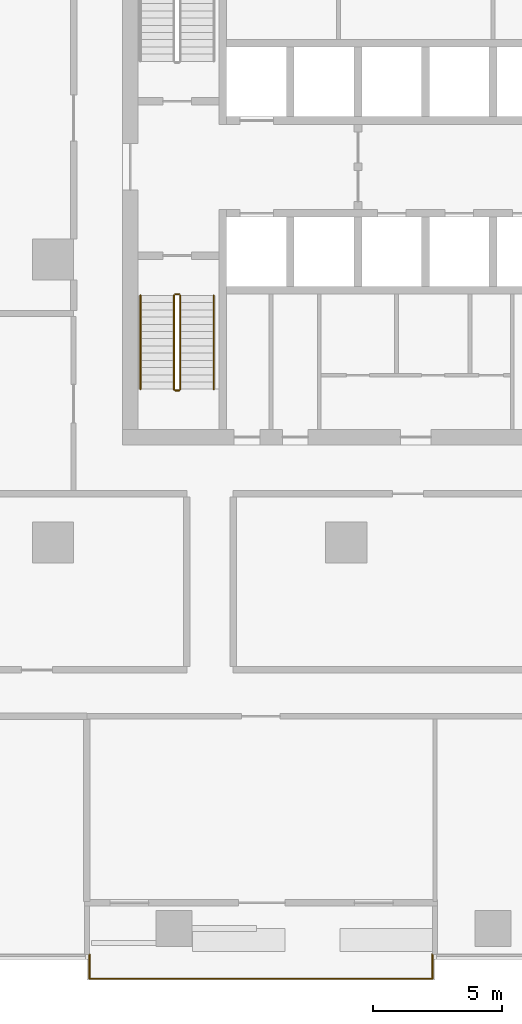
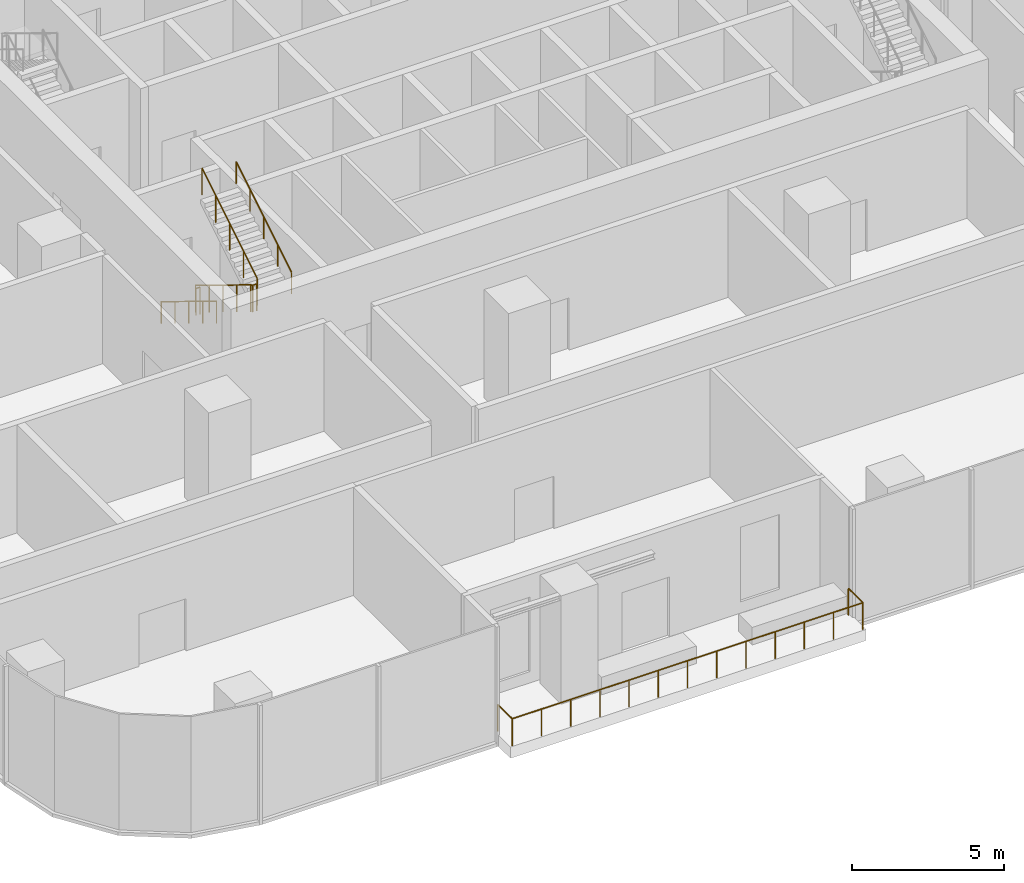
# One storey, part 12 of 15: 6 railings.
"""IFC4 building model written with IfcOpenShell, lengths in metres."""

import ifcopenshell
import ifcopenshell.guid

model = None  # the IFC model being written
_history = None  # IfcOwnerHistory: only IFC2X3 demands one
_inside = {}  # id of a spatial element -> (the spatial element, [elements in it])
_under = {}  # id of a project, library or spatial element -> (it, [spatial elements below it])
_declared = {}  # id of a project -> (the project, [libraries it declares])
_typed = {}  # id of a type object -> (the type object, [elements of that type])
_made_of = {}  # id of a material, layer set ... -> (it, [elements and type objects made of it])


def new_model(schema):
    """Start an empty IFC model of exactly this schema.

    Asked for "IFC4X3", IfcOpenShell would pick the latest addendum, in which some entities
    have other attributes; the version numbers below select the first issue.
    IFC2X3 requires an IfcOwnerHistory on every rooted entity: one is made here for all.
    """
    global model, _history
    if schema == "IFC4X3":
        model = ifcopenshell.file(schema_version=(4, 3, 0, 0))
    else:
        model = ifcopenshell.file(schema=schema)
    _inside.clear()
    _under.clear()
    _declared.clear()
    _typed.clear()
    _made_of.clear()
    _history = None
    if model.schema == "IFC2X3":
        org = make("IfcOrganization", Name="unknown")
        user = make(
            "IfcPersonAndOrganization",
            ThePerson=make("IfcPerson", FamilyName="unknown"),
            TheOrganization=org,
        )
        app = make(
            "IfcApplication",
            ApplicationDeveloper=org,
            Version="unknown",
            ApplicationFullName="unknown",
            ApplicationIdentifier="unknown",
        )
        _history = make(
            "IfcOwnerHistory",
            OwningUser=user,
            OwningApplication=app,
            ChangeAction="ADDED",
            CreationDate=0,
        )
    return model


def make(cls, **values):
    """One entity of the class cls with the attributes given. An attribute that is None is left unset."""
    return model.create_entity(
        cls, **{name: value for name, value in values.items() if value is not None}
    )


def rooted(cls, **values):
    """An entity with a GlobalId (a new one), such as an element, a storey or a relation."""
    return make(cls, GlobalId=ifcopenshell.guid.new(), OwnerHistory=_history, **values)


def si_unit(unit_type, name, prefix=None):
    """IfcSIUnit, for example si_unit("LENGTHUNIT", "METRE", prefix="MILLI")."""
    return make("IfcSIUnit", UnitType=unit_type, Prefix=prefix, Name=name)


def assignment(units):
    """IfcUnitAssignment: the units of a project."""
    return None if units is None else make("IfcUnitAssignment", Units=units)


def point(xyz):
    """IfcCartesianPoint."""
    return None if xyz is None else make("IfcCartesianPoint", Coordinates=xyz)


def direction(xyz):
    """IfcDirection."""
    return None if xyz is None else make("IfcDirection", DirectionRatios=xyz)


def frame(location, z_axis=None, x_axis=None):
    """IfcAxis2Placement3D, a coordinate frame: its origin and axes. An axis left out is left unset."""
    return make(
        "IfcAxis2Placement3D",
        Location=point(location),
        Axis=direction(z_axis),
        RefDirection=direction(x_axis),
    )


def frame_2d(location, x_axis=None):
    """IfcAxis2Placement2D, a coordinate frame in the plane: its origin and x axis."""
    return make(
        "IfcAxis2Placement2D", Location=point(location), RefDirection=direction(x_axis)
    )


def origin():
    """The frame at (0, 0, 0) with its axes left unset."""
    return frame((0.0, 0.0, 0.0))


def origin_2d():
    """The frame at (0, 0) in the plane with its x axis left unset."""
    return frame_2d((0.0, 0.0))


def place(relative_to, where):
    """IfcLocalPlacement: puts the frame where relative to a parent placement (None: the world)."""
    return make(
        "IfcLocalPlacement", PlacementRelTo=relative_to, RelativePlacement=where
    )


def context(
    kind, dimensions, precision=None, world=None, true_north=None, identifier=None
):
    """IfcGeometricRepresentationContext, for example the 3D "Model" context."""
    return make(
        "IfcGeometricRepresentationContext",
        ContextIdentifier=identifier,
        ContextType=kind,
        CoordinateSpaceDimension=dimensions,
        Precision=precision,
        WorldCoordinateSystem=world,
        TrueNorth=true_north,
    )


def subcontext(parent, identifier, kind, view, scale=None):
    """IfcGeometricRepresentationSubContext, for example "Body" below "Model"."""
    return make(
        "IfcGeometricRepresentationSubContext",
        ContextIdentifier=identifier,
        ContextType=kind,
        ParentContext=parent,
        TargetScale=scale,
        TargetView=view,
    )


def project(units=None, contexts=None):
    """IfcProject with its units and contexts."""
    return rooted(
        "IfcProject",
        Name="project",
        RepresentationContexts=contexts,
        UnitsInContext=assignment(units),
    )


def spatial(cls, under=None, at=None, **own):
    """A site, building, storey or space (cls), placed at a placement, below another one or the project."""
    s = rooted(cls, ObjectPlacement=at, **own)
    if under is not None:
        _under.setdefault(under.id(), (under, []))[1].append(s)
    return s


def profile(cls, at=None, kind="AREA", **sizes):
    """A parametric profile (cls). Its sizes go by their IFC names, for example OverallWidth=200.0."""
    return make(cls, ProfileType=kind, Position=at, **sizes)


def circle(**sizes):
    """IfcCircleProfileDef."""
    return profile("IfcCircleProfileDef", **sizes)


def extrude(swept, where, along, depth):
    """IfcExtrudedAreaSolid: the profile swept, set in the frame where, extruded along a direction by depth."""
    return make(
        "IfcExtrudedAreaSolid",
        SweptArea=swept,
        Position=where,
        ExtrudedDirection=direction(along),
        Depth=depth,
    )


def shape(context_of_items, identifier, shape_type, items):
    """IfcShapeRepresentation: the items that make up one representation, for example the "Body"."""
    return make(
        "IfcShapeRepresentation",
        ContextOfItems=context_of_items,
        RepresentationIdentifier=identifier,
        RepresentationType=shape_type,
        Items=items,
    )


def material(Name=None, Category=None):
    """IfcMaterial."""
    return make("IfcMaterial", Name=Name, Category=Category)


def made_of(thing, what):
    """Note that an element or type object is made of a material, layer set ...; save() writes the relation."""
    if what is not None:
        _made_of.setdefault(what.id(), (what, []))[1].append(thing)
    return thing


def type_object(cls, material=None, **own):
    """A type object (cls), such as IfcWallType, which elements share."""
    return made_of(rooted(cls, **own), material)


def element(
    cls,
    number,
    at=None,
    inside=None,
    cuts=None,
    type_object=None,
    material=None,
    context=None,
    identifier="Body",
    shape_type=None,
    held_by="IfcProductDefinitionShape",
    body=None,
    shapes=None,
    **own,
):
    """One element of the class cls, such as IfcWall. Its Tag is "e" and its number.

    at: its placement. inside: the storey or other place that contains it. cuts: it is an
    opening in that element (IfcRelVoidsElement). A single representation is given by context,
    identifier, shape_type and body (its items); several are given by shapes. held_by: the class
    of the entity that holds the representations. save() writes the other relations.
    """
    e = rooted(cls, Tag="e%d" % number, ObjectPlacement=at, **own)
    if body is not None:
        shapes = [shape(context, identifier, shape_type, body)]
    if shapes is not None:
        e.Representation = make(held_by, Representations=shapes)
    if inside is not None:
        _inside.setdefault(inside.id(), (inside, []))[1].append(e)
    if cuts is not None:
        rooted(
            "IfcRelVoidsElement", RelatingBuildingElement=cuts, RelatedOpeningElement=e
        )
    if type_object is not None:
        _typed.setdefault(type_object.id(), (type_object, []))[1].append(e)
    return made_of(e, material)


def aggregate(whole, parts):
    """IfcRelAggregates: a whole, such as a stair, and the parts it consists of."""
    return rooted("IfcRelAggregates", RelatingObject=whole, RelatedObjects=parts)


def save(model, path):
    """Write the relations noted so far, then the file.

    IfcRelAggregates (storeys below a building ...), IfcRelContainedInSpatialStructure (elements
    in a storey), IfcRelDefinesByType, IfcRelAssociatesMaterial and IfcRelDeclares: one each for
    every whole, place, type object, material and project.
    """
    for whole, parts in _under.values():
        aggregate(whole, parts)
    for where, things in _inside.values():
        rooted(
            "IfcRelContainedInSpatialStructure",
            RelatedElements=things,
            RelatingStructure=where,
        )
    for kind, things in _typed.values():
        rooted("IfcRelDefinesByType", RelatedObjects=things, RelatingType=kind)
    for what, things in _made_of.values():
        rooted("IfcRelAssociatesMaterial", RelatedObjects=things, RelatingMaterial=what)
    for by, libraries in _declared.values():
        rooted("IfcRelDeclares", RelatingContext=by, RelatedDefinitions=libraries)
    model.write(path)


model = new_model("IFC4")

# Units and contexts
model_context = context("Model", 3, precision=1e-05, world=origin(), true_north=direction((0.0, 1.0)))
body_context = subcontext(model_context, "Body", "Model", "MODEL_VIEW")
ifc_project = project(units=[si_unit("LENGTHUNIT", "METRE"), si_unit("AREAUNIT", "SQUARE_METRE"), si_unit("VOLUMEUNIT", "CUBIC_METRE"), si_unit("PLANEANGLEUNIT", "RADIAN"), si_unit("MASSUNIT", "GRAM", prefix="KILO")], contexts=[model_context])

# Site, building, storey
site_placement = place(None, origin())
site = spatial("IfcSite", under=ifc_project, at=site_placement, CompositionType="ELEMENT")
building_placement = place(site_placement, origin())
building = spatial("IfcBuilding", under=site, at=building_placement, Name="Mopane Tessera Tower", CompositionType="ELEMENT")
storey_placement = place(building_placement, frame((0.0, 0.0, 69.39990234375)))
storey = spatial("IfcBuildingStorey", under=building, at=storey_placement, Name="L13", CompositionType="ELEMENT", Elevation=69.39990234375)

# Railings
ifc_material_1 = material(Name="Powder-coated steel balustrade", Category="steel")
railing_type_1 = type_object("IfcRailingType", Name="Escape stair guard 1100 mm", PredefinedType="GUARDRAIL", material=ifc_material_1)
railing_1_placement = place(storey_placement, frame((-12.39990234375, -1.39990234375, 0.171630859375)))
element("IfcRailing", 1, at=railing_1_placement, inside=storey, type_object=railing_type_1, Name="L13 ST1 stair guard 1", PredefinedType="GUARDRAIL", context=body_context, shape_type="SweptSolid", body=[
    extrude(circle(Radius=0.02392578125, at=origin_2d()), frame((0.0, 0.0, 1.076171875), z_axis=(0.0, -0.852865859571, 0.52213008492), x_axis=(1.0, 0.0, 0.0)), (0.0, 0.0, 1.0), 4.26806640625),
    extrude(circle(Radius=0.02392578125, at=origin_2d()), frame((0.0, -3.64013671875, 3.3046875), z_axis=(0.705375805398, -0.708833529934, 0.0), x_axis=(0.708833529934, 0.705375805398, 0.0)), (0.0, 0.0, 1.0), 0.070556640625),
    extrude(circle(Radius=0.02392578125, at=origin_2d()), frame((0.0498046875, -3.690185546875, 3.3046875), z_axis=(1.0, 0.0, 0.0), x_axis=(0.0, 1.0, 0.0)), (0.0, 0.0, 1.0), 0.150146484375),
    extrude(circle(Radius=0.02099609375, at=origin_2d()), origin(), (0.0, 0.0, 1.0), 1.052001953125),
    extrude(circle(Radius=0.02099609375, at=origin_2d()), frame((0.0, -0.91015625, 0.55712890625)), (0.0, 0.0, 1.0), 1.052001953125),
    extrude(circle(Radius=0.02099609375, at=origin_2d()), frame((0.0, -1.820068359375, 1.1142578125)), (0.0, 0.0, 1.0), 1.052001953125),
    extrude(circle(Radius=0.02099609375, at=origin_2d()), frame((0.0, -2.72998046875, 1.67138671875)), (0.0, 0.0, 1.0), 1.052001953125),
    extrude(circle(Radius=0.02099609375, at=origin_2d()), frame((0.0, -3.64013671875, 2.228515625)), (0.0, 0.0, 1.0), 1.052001953125),
    extrude(circle(Radius=0.02099609375, at=origin_2d()), frame((0.0498046875, -3.690185546875, 2.228515625)), (0.0, 0.0, 1.0), 1.052001953125),
    extrude(circle(Radius=0.02099609375, at=origin_2d()), frame((0.199951171875, -3.690185546875, 2.228515625)), (0.0, 0.0, 1.0), 1.052001953125),
])
railing_2_placement = place(storey_placement, frame((-12.14990234375, -5.0400390625, 2.571533203125)))
element("IfcRailing", 2, at=railing_2_placement, inside=storey, type_object=railing_type_1, Name="L13 ST1 stair guard 2", PredefinedType="GUARDRAIL", context=body_context, shape_type="SweptSolid", body=[
    extrude(circle(Radius=0.02392578125, at=origin_2d()), frame((0.0, 0.0, 1.076171875), z_axis=(0.0, 0.852865859571, 0.52213008492), x_axis=(-1.0, 0.0, 0.0)), (0.0, 0.0, 1.0), 4.26806640625),
    extrude(circle(Radius=0.02099609375, at=origin_2d()), origin(), (0.0, 0.0, 1.0), 1.052001953125),
    extrude(circle(Radius=0.02099609375, at=origin_2d()), frame((0.0, 0.91015625, 0.55712890625)), (0.0, 0.0, 1.0), 1.052001953125),
    extrude(circle(Radius=0.02099609375, at=origin_2d()), frame((0.0, 1.820068359375, 1.1142578125)), (0.0, 0.0, 1.0), 1.052001953125),
    extrude(circle(Radius=0.02099609375, at=origin_2d()), frame((0.0, 2.72998046875, 1.67138671875)), (0.0, 0.0, 1.0), 1.052001953125),
    extrude(circle(Radius=0.02099609375, at=origin_2d()), frame((0.0, 3.64013671875, 2.228515625)), (0.0, 0.0, 1.0), 1.052001953125),
])
railing_3_placement = place(storey_placement, frame((-12.35009765625, -1.35009765625, 0.0)))
element("IfcRailing", 3, at=railing_3_placement, inside=storey, type_object=railing_type_1, Name="L13 ST1 stair guard 3", PredefinedType="GUARDRAIL", context=body_context, shape_type="SweptSolid", body=[
    extrude(circle(Radius=0.02392578125, at=origin_2d()), frame((0.0, 0.0, 1.076171875), z_axis=(1.0, 0.0, 0.0), x_axis=(0.0, 1.0, 0.0)), (0.0, 0.0, 1.0), 0.150146484375),
    extrude(circle(Radius=0.02099609375, at=origin_2d()), origin(), (0.0, 0.0, 1.0), 1.052001953125),
    extrude(circle(Radius=0.02099609375, at=origin_2d()), frame((0.150146484375, 0.0, 0.0)), (0.0, 0.0, 1.0), 1.052001953125),
])
ifc_material_2 = material(Name="Powder-coated steel balustrade", Category="steel")
railing_type_2 = type_object("IfcRailingType", Name="Escape stair handrail 900 mm", PredefinedType="HANDRAIL", material=ifc_material_2)
railing_4_placement = place(storey_placement, frame((-13.699951171875, -1.39990234375, 0.171630859375)))
element("IfcRailing", 4, at=railing_4_placement, inside=storey, type_object=railing_type_2, Name="L13 ST1 stair handrail 1", PredefinedType="HANDRAIL", context=body_context, shape_type="SweptSolid", body=[
    extrude(circle(Radius=0.02392578125, at=origin_2d()), frame((0.0, 0.0, 0.8759765625), z_axis=(0.0, -0.852865859571, 0.52213008492), x_axis=(1.0, 0.0, 0.0)), (0.0, 0.0, 1.0), 4.26806640625),
    extrude(circle(Radius=0.02099609375, at=origin_2d()), origin(), (0.0, 0.0, 1.0), 0.851806640625),
    extrude(circle(Radius=0.02099609375, at=origin_2d()), frame((0.0, -0.91015625, 0.55712890625)), (0.0, 0.0, 1.0), 0.851806640625),
    extrude(circle(Radius=0.02099609375, at=origin_2d()), frame((0.0, -1.820068359375, 1.1142578125)), (0.0, 0.0, 1.0), 0.851806640625),
    extrude(circle(Radius=0.02099609375, at=origin_2d()), frame((0.0, -2.72998046875, 1.67138671875)), (0.0, 0.0, 1.0), 0.851806640625),
    extrude(circle(Radius=0.02099609375, at=origin_2d()), frame((0.0, -3.64013671875, 2.228515625)), (0.0, 0.0, 1.0), 0.851806640625),
])
railing_5_placement = place(storey_placement, frame((-10.85009765625, -5.0400390625, 2.571533203125)))
element("IfcRailing", 5, at=railing_5_placement, inside=storey, type_object=railing_type_2, Name="L13 ST1 stair handrail 2", PredefinedType="HANDRAIL", context=body_context, shape_type="SweptSolid", body=[
    extrude(circle(Radius=0.02392578125, at=origin_2d()), frame((0.0, 0.0, 0.8759765625), z_axis=(0.0, 0.852865859571, 0.52213008492), x_axis=(-1.0, 0.0, 0.0)), (0.0, 0.0, 1.0), 4.26806640625),
    extrude(circle(Radius=0.02099609375, at=origin_2d()), origin(), (0.0, 0.0, 1.0), 0.851806640625),
    extrude(circle(Radius=0.02099609375, at=origin_2d()), frame((0.0, 0.91015625, 0.55712890625)), (0.0, 0.0, 1.0), 0.851806640625),
    extrude(circle(Radius=0.02099609375, at=origin_2d()), frame((0.0, 1.820068359375, 1.1142578125)), (0.0, 0.0, 1.0), 0.851806640625),
    extrude(circle(Radius=0.02099609375, at=origin_2d()), frame((0.0, 2.72998046875, 1.67138671875)), (0.0, 0.0, 1.0), 0.851806640625),
    extrude(circle(Radius=0.02099609375, at=origin_2d()), frame((0.0, 3.64013671875, 2.228515625)), (0.0, 0.0, 1.0), 0.851806640625),
])
ifc_material_3 = material(Name="Stainless steel S316", Category="steel")
railing_type_3 = type_object("IfcRailingType", Name="Terrace guard 1100", PredefinedType="GUARDRAIL", material=ifc_material_3)
railing_6_placement = place(storey_placement, frame((-15.681884765625, -27.0, 0.0)))
element("IfcRailing", 6, at=railing_6_placement, inside=storey, type_object=railing_type_3, Name="e:nw:L13:N3:guard", PredefinedType="GUARDRAIL", context=body_context, shape_type="SweptSolid", body=[
    extrude(circle(Radius=0.02392578125, at=origin_2d()), frame((0.0, 0.0, 1.076171875), z_axis=(0.0, -1.0, 0.0), x_axis=(1.0, 0.0, 0.0)), (0.0, 0.0, 1.0), 0.949951171875),
    extrude(circle(Radius=0.02392578125, at=origin_2d()), frame((0.0, -0.949951171875, 1.076171875), z_axis=(1.0, 0.0, 0.0), x_axis=(0.0, 1.0, 0.0)), (0.0, 0.0, 1.0), 13.327392578125),
    extrude(circle(Radius=0.02392578125, at=origin_2d()), frame((13.327392578125, -0.949951171875, 1.076171875), z_axis=(0.0, 1.0, 0.0), x_axis=(-1.0, 0.0, 0.0)), (0.0, 0.0, 1.0), 0.949951171875),
    extrude(circle(Radius=0.02099609375, at=origin_2d()), origin(), (0.0, 0.0, 1.0), 1.052001953125),
    extrude(circle(Radius=0.02099609375, at=origin_2d()), frame((0.0, -0.949951171875, 0.0)), (0.0, 0.0, 1.0), 1.052001953125),
    extrude(circle(Radius=0.02099609375, at=origin_2d()), frame((1.110595703125, -0.949951171875, 0.0)), (0.0, 0.0, 1.0), 1.052001953125),
    extrude(circle(Radius=0.02099609375, at=origin_2d()), frame((2.22119140625, -0.949951171875, 0.0)), (0.0, 0.0, 1.0), 1.052001953125),
    extrude(circle(Radius=0.02099609375, at=origin_2d()), frame((3.331787109375, -0.949951171875, 0.0)), (0.0, 0.0, 1.0), 1.052001953125),
    extrude(circle(Radius=0.02099609375, at=origin_2d()), frame((4.4423828125, -0.949951171875, 0.0)), (0.0, 0.0, 1.0), 1.052001953125),
    extrude(circle(Radius=0.02099609375, at=origin_2d()), frame((5.552978515625, -0.949951171875, 0.0)), (0.0, 0.0, 1.0), 1.052001953125),
    extrude(circle(Radius=0.02099609375, at=origin_2d()), frame((6.66357421875, -0.949951171875, 0.0)), (0.0, 0.0, 1.0), 1.052001953125),
    extrude(circle(Radius=0.02099609375, at=origin_2d()), frame((7.7744140625, -0.949951171875, 0.0)), (0.0, 0.0, 1.0), 1.052001953125),
    extrude(circle(Radius=0.02099609375, at=origin_2d()), frame((8.885009765625, -0.949951171875, 0.0)), (0.0, 0.0, 1.0), 1.052001953125),
    extrude(circle(Radius=0.02099609375, at=origin_2d()), frame((9.99560546875, -0.949951171875, 0.0)), (0.0, 0.0, 1.0), 1.052001953125),
    extrude(circle(Radius=0.02099609375, at=origin_2d()), frame((11.106201171875, -0.949951171875, 0.0)), (0.0, 0.0, 1.0), 1.052001953125),
    extrude(circle(Radius=0.02099609375, at=origin_2d()), frame((12.216796875, -0.949951171875, 0.0)), (0.0, 0.0, 1.0), 1.052001953125),
    extrude(circle(Radius=0.02099609375, at=origin_2d()), frame((13.327392578125, -0.949951171875, 0.0)), (0.0, 0.0, 1.0), 1.052001953125),
    extrude(circle(Radius=0.02099609375, at=origin_2d()), frame((13.327392578125, 0.0, 0.0)), (0.0, 0.0, 1.0), 1.052001953125),
])

save(model, "model.ifc")
